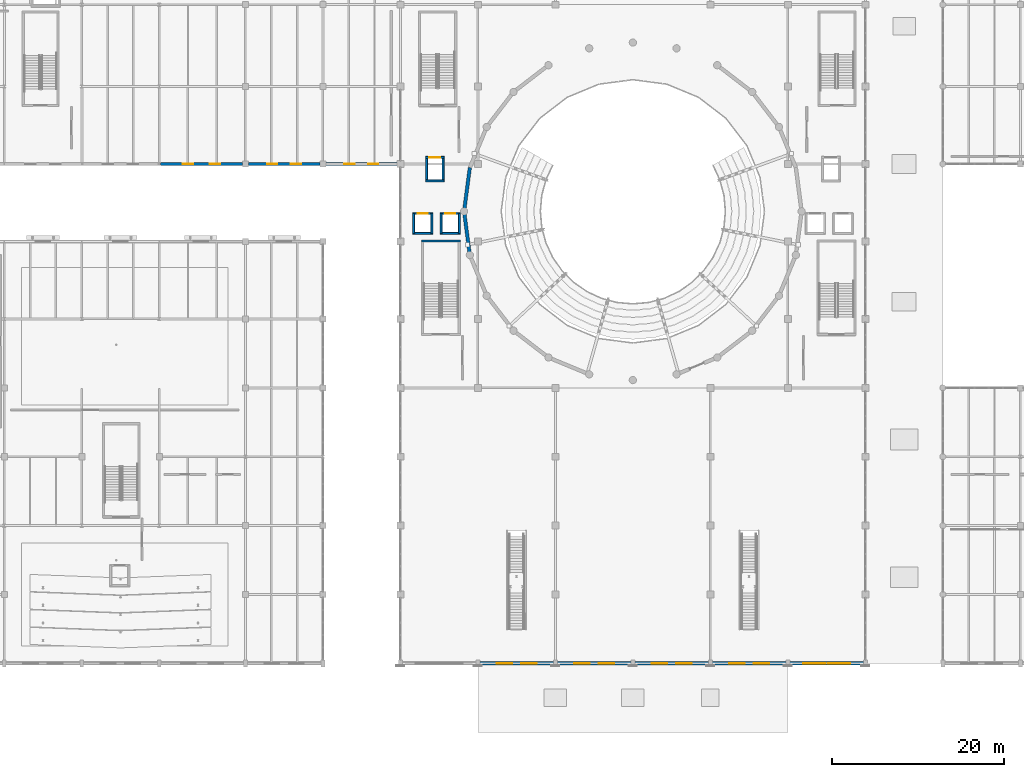
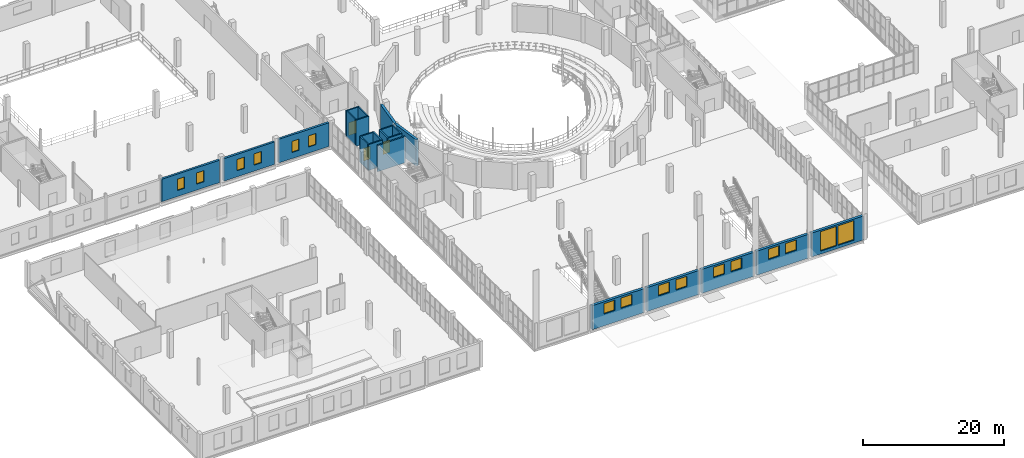
# One storey, part 70 of 93: 23 walls, 16 windows, 3 doors, 19 openings.
"""IFC4 building model written with IfcOpenShell, lengths in metres."""

from ifc_helpers import new_model, si_unit, direction, frame, frame_2d, origin, place, context, subcontext, project, spatial, rectangle, extrude, material, layer, layer_set, type_object, element, fill, save


model = new_model("IFC4")

# Units and contexts
model_context = context("Model", 3, precision=1e-05, world=origin(), true_north=direction((0.0, 1.0)))
body_context = subcontext(model_context, "Body", "Model", "MODEL_VIEW")
ifc_project = project(units=[si_unit("LENGTHUNIT", "METRE"), si_unit("AREAUNIT", "SQUARE_METRE"), si_unit("VOLUMEUNIT", "CUBIC_METRE"), si_unit("PLANEANGLEUNIT", "RADIAN"), si_unit("MASSUNIT", "GRAM", prefix="KILO")], contexts=[model_context])

# Site, building, storey
site_placement = place(None, origin())
site = spatial("IfcSite", under=ifc_project, at=site_placement, CompositionType="ELEMENT")
building_placement = place(site_placement, origin())
building = spatial("IfcBuilding", under=site, at=building_placement, Name="Marnock Terrace Opera House", CompositionType="ELEMENT")
storey_placement = place(building_placement, frame((0.0, 0.0, 5.39990234375)))
storey = spatial("IfcBuildingStorey", under=building, at=storey_placement, Name="L01", CompositionType="ELEMENT", Elevation=5.39990234375)

# Wall, openings, windows
ifc_material_1 = material(Name="Basket Range sandstone ashlar masonry", Category="masonry")
ifc_layer_1 = layer(ifc_material_1, 0.429931640625)
ifc_layer_set_1 = layer_set([ifc_layer_1], Name="Basket Range sandstone ashlar masonry")
wall_type_1 = type_object("IfcWallType", Name="EW-ASHLAR-430", PredefinedType="SOLIDWALL", material=ifc_layer_set_1)
wall_1_placement = place(storey_placement, frame((64.220947265625, 8.0, 0.0), z_axis=(0.0, 0.0, 1.0), x_axis=(1.0, 0.0, 0.0)))
wall_1 = element("IfcWall", 1, at=wall_1_placement, inside=storey, type_object=wall_type_1, Name="L01 Grand Hall south sandstone arcade bay 2", PredefinedType="SOLIDWALL", context=body_context, shape_type="SweptSolid", body=[
    extrude(rectangle(XDim=8.55810546875, YDim=0.429931640625, at=frame_2d((4.279052734375, 0.0))), origin(), (0.0, 0.0, 1.0), 4.151611328125),
])
opening_1_placement = place(wall_1_placement, frame((1.95263671875, 0.0, 2.050048828125)))
opening_1 = element("IfcOpeningElement", 2, at=opening_1_placement, cuts=wall_1, Name="Opening WT-16", PredefinedType="OPENING", context=body_context, shape_type="SweptSolid", body=[
    extrude(rectangle(XDim=1.800048828125, YDim=1.800048828125, at=frame_2d((0.89990234375, 0.89990234375))), frame((0.0, 0.224853515625, 0.0), z_axis=(0.0, -1.0, 0.0), x_axis=(1.0, 0.0, 0.0)), (0.0, 0.0, 1.0), 0.449951171875),
])
opening_2_placement = place(wall_1_placement, frame((4.805419921875, 0.0, 2.050048828125)))
opening_2 = element("IfcOpeningElement", 3, at=opening_2_placement, cuts=wall_1, Name="Opening WT-16", PredefinedType="OPENING", context=body_context, shape_type="SweptSolid", body=[
    extrude(rectangle(XDim=1.800048828125, YDim=1.800048828125, at=frame_2d((0.89990234375, 0.89990234375))), frame((0.0, 0.224853515625, 0.0), z_axis=(0.0, -1.0, 0.0), x_axis=(1.0, 0.0, 0.0)), (0.0, 0.0, 1.0), 0.449951171875),
])
ifc_material_2 = material(Name="Double-glazed acoustic low-E laminated glass", Category="glass")
window_type_1 = type_object("IfcWindowType", Name="WT-ATTIC-1800", PartitioningType="DOUBLE_PANEL_VERTICAL", PredefinedType="WINDOW", material=ifc_material_2)
window_1_placement = place(opening_1_placement, origin())
window_1 = element("IfcWindow", 4, at=window_1_placement, inside=storey, type_object=window_type_1, Name="L01 facade window EW-V1S-L01-2.1", OverallHeight=1.800048828125, OverallWidth=1.800048828125, PartitioningType="SINGLE_PANEL", PredefinedType="WINDOW", context=body_context, shape_type="SweptSolid", body=[
    extrude(rectangle(XDim=1.800048828125, YDim=1.800048828125, at=frame_2d((0.89990234375, 0.89990234375))), frame((0.0, 0.030029296875, 0.0), z_axis=(0.0, -1.0, 0.0), x_axis=(1.0, 0.0, 0.0)), (0.0, 0.0, 1.0), 0.06005859375),
])
fill(opening_1, window_1)
window_2_placement = place(opening_2_placement, origin())
window_2 = element("IfcWindow", 5, at=window_2_placement, inside=storey, type_object=window_type_1, Name="L01 facade window EW-V1S-L01-2.2", OverallHeight=1.800048828125, OverallWidth=1.800048828125, PartitioningType="SINGLE_PANEL", PredefinedType="WINDOW", context=body_context, shape_type="SweptSolid", body=[
    extrude(rectangle(XDim=1.800048828125, YDim=1.800048828125, at=frame_2d((0.89990234375, 0.89990234375))), frame((0.0, 0.030029296875, 0.0), z_axis=(0.0, -1.0, 0.0), x_axis=(1.0, 0.0, 0.0)), (0.0, 0.0, 1.0), 0.06005859375),
])
fill(opening_2, window_2)

wall_2_placement = place(storey_placement, frame((73.220947265625, 8.0, 0.0), z_axis=(0.0, 0.0, 1.0), x_axis=(1.0, 0.0, 0.0)))
wall_2 = element("IfcWall", 6, at=wall_2_placement, inside=storey, type_object=wall_type_1, Name="L01 Grand Hall south sandstone arcade bay 3", PredefinedType="SOLIDWALL", context=body_context, shape_type="SweptSolid", body=[
    extrude(rectangle(XDim=8.55810546875, YDim=0.429931640625, at=frame_2d((4.279052734375, 0.0))), origin(), (0.0, 0.0, 1.0), 4.151611328125),
])
opening_3_placement = place(wall_2_placement, frame((1.95263671875, 0.0, 2.050048828125)))
opening_3 = element("IfcOpeningElement", 7, at=opening_3_placement, cuts=wall_2, Name="Opening WT-16", PredefinedType="OPENING", context=body_context, shape_type="SweptSolid", body=[
    extrude(rectangle(XDim=1.800048828125, YDim=1.800048828125, at=frame_2d((0.89990234375, 0.89990234375))), frame((0.0, 0.224853515625, 0.0), z_axis=(0.0, -1.0, 0.0), x_axis=(1.0, 0.0, 0.0)), (0.0, 0.0, 1.0), 0.449951171875),
])
opening_4_placement = place(wall_2_placement, frame((4.805419921875, 0.0, 2.050048828125)))
opening_4 = element("IfcOpeningElement", 8, at=opening_4_placement, cuts=wall_2, Name="Opening WT-16", PredefinedType="OPENING", context=body_context, shape_type="SweptSolid", body=[
    extrude(rectangle(XDim=1.800048828125, YDim=1.800048828125, at=frame_2d((0.89990234375, 0.89990234375))), frame((0.0, 0.224853515625, 0.0), z_axis=(0.0, -1.0, 0.0), x_axis=(1.0, 0.0, 0.0)), (0.0, 0.0, 1.0), 0.449951171875),
])
window_3_placement = place(opening_3_placement, origin())
window_3 = element("IfcWindow", 9, at=window_3_placement, inside=storey, type_object=window_type_1, Name="L01 facade window EW-V1S-L01-3.1", OverallHeight=1.800048828125, OverallWidth=1.800048828125, PartitioningType="SINGLE_PANEL", PredefinedType="WINDOW", context=body_context, shape_type="SweptSolid", body=[
    extrude(rectangle(XDim=1.800048828125, YDim=1.800048828125, at=frame_2d((0.89990234375, 0.89990234375))), frame((0.0, 0.030029296875, 0.0), z_axis=(0.0, -1.0, 0.0), x_axis=(1.0, 0.0, 0.0)), (0.0, 0.0, 1.0), 0.06005859375),
])
fill(opening_3, window_3)
window_4_placement = place(opening_4_placement, origin())
window_4 = element("IfcWindow", 10, at=window_4_placement, inside=storey, type_object=window_type_1, Name="L01 facade window EW-V1S-L01-3.2", OverallHeight=1.800048828125, OverallWidth=1.800048828125, PartitioningType="SINGLE_PANEL", PredefinedType="WINDOW", context=body_context, shape_type="SweptSolid", body=[
    extrude(rectangle(XDim=1.800048828125, YDim=1.800048828125, at=frame_2d((0.89990234375, 0.89990234375))), frame((0.0, 0.030029296875, 0.0), z_axis=(0.0, -1.0, 0.0), x_axis=(1.0, 0.0, 0.0)), (0.0, 0.0, 1.0), 0.06005859375),
])
fill(opening_4, window_4)

wall_3_placement = place(storey_placement, frame((82.220947265625, 8.0, 0.0), z_axis=(0.0, 0.0, 1.0), x_axis=(1.0, 0.0, 0.0)))
wall_3 = element("IfcWall", 11, at=wall_3_placement, inside=storey, type_object=wall_type_1, Name="L01 Grand Hall south sandstone arcade bay 4", PredefinedType="SOLIDWALL", context=body_context, shape_type="SweptSolid", body=[
    extrude(rectangle(XDim=8.55810546875, YDim=0.429931640625, at=frame_2d((4.279052734375, 0.0))), origin(), (0.0, 0.0, 1.0), 4.151611328125),
])
opening_5_placement = place(wall_3_placement, frame((1.95263671875, 0.0, 2.050048828125)))
opening_5 = element("IfcOpeningElement", 12, at=opening_5_placement, cuts=wall_3, Name="Opening WT-16", PredefinedType="OPENING", context=body_context, shape_type="SweptSolid", body=[
    extrude(rectangle(XDim=1.800048828125, YDim=1.800048828125, at=frame_2d((0.89990234375, 0.89990234375))), frame((0.0, 0.224853515625, 0.0), z_axis=(0.0, -1.0, 0.0), x_axis=(1.0, 0.0, 0.0)), (0.0, 0.0, 1.0), 0.449951171875),
])
opening_6_placement = place(wall_3_placement, frame((4.805419921875, 0.0, 2.050048828125)))
opening_6 = element("IfcOpeningElement", 13, at=opening_6_placement, cuts=wall_3, Name="Opening WT-16", PredefinedType="OPENING", context=body_context, shape_type="SweptSolid", body=[
    extrude(rectangle(XDim=1.800048828125, YDim=1.800048828125, at=frame_2d((0.89990234375, 0.89990234375))), frame((0.0, 0.224853515625, 0.0), z_axis=(0.0, -1.0, 0.0), x_axis=(1.0, 0.0, 0.0)), (0.0, 0.0, 1.0), 0.449951171875),
])
window_5_placement = place(opening_5_placement, origin())
window_5 = element("IfcWindow", 14, at=window_5_placement, inside=storey, type_object=window_type_1, Name="L01 facade window EW-V1S-L01-4.1", OverallHeight=1.800048828125, OverallWidth=1.800048828125, PartitioningType="SINGLE_PANEL", PredefinedType="WINDOW", context=body_context, shape_type="SweptSolid", body=[
    extrude(rectangle(XDim=1.800048828125, YDim=1.800048828125, at=frame_2d((0.89990234375, 0.89990234375))), frame((0.0, 0.030029296875, 0.0), z_axis=(0.0, -1.0, 0.0), x_axis=(1.0, 0.0, 0.0)), (0.0, 0.0, 1.0), 0.06005859375),
])
fill(opening_5, window_5)
window_6_placement = place(opening_6_placement, origin())
window_6 = element("IfcWindow", 15, at=window_6_placement, inside=storey, type_object=window_type_1, Name="L01 facade window EW-V1S-L01-4.2", OverallHeight=1.800048828125, OverallWidth=1.800048828125, PartitioningType="SINGLE_PANEL", PredefinedType="WINDOW", context=body_context, shape_type="SweptSolid", body=[
    extrude(rectangle(XDim=1.800048828125, YDim=1.800048828125, at=frame_2d((0.89990234375, 0.89990234375))), frame((0.0, 0.030029296875, 0.0), z_axis=(0.0, -1.0, 0.0), x_axis=(1.0, 0.0, 0.0)), (0.0, 0.0, 1.0), 0.06005859375),
])
fill(opening_6, window_6)

wall_4_placement = place(storey_placement, frame((91.220947265625, 8.0, 0.0), z_axis=(0.0, 0.0, 1.0), x_axis=(1.0, 0.0, 0.0)))
wall_4 = element("IfcWall", 16, at=wall_4_placement, inside=storey, type_object=wall_type_1, Name="L01 Grand Hall south sandstone arcade bay 5", PredefinedType="SOLIDWALL", context=body_context, shape_type="SweptSolid", body=[
    extrude(rectangle(XDim=8.55810546875, YDim=0.429931640625, at=frame_2d((4.279052734375, 0.0))), origin(), (0.0, 0.0, 1.0), 4.151611328125),
])
opening_7_placement = place(wall_4_placement, frame((1.95263671875, 0.0, 2.050048828125)))
opening_7 = element("IfcOpeningElement", 17, at=opening_7_placement, cuts=wall_4, Name="Opening WT-16", PredefinedType="OPENING", context=body_context, shape_type="SweptSolid", body=[
    extrude(rectangle(XDim=1.800048828125, YDim=1.800048828125, at=frame_2d((0.89990234375, 0.89990234375))), frame((0.0, 0.224853515625, 0.0), z_axis=(0.0, -1.0, 0.0), x_axis=(1.0, 0.0, 0.0)), (0.0, 0.0, 1.0), 0.449951171875),
])
opening_8_placement = place(wall_4_placement, frame((4.805419921875, 0.0, 2.050048828125)))
opening_8 = element("IfcOpeningElement", 18, at=opening_8_placement, cuts=wall_4, Name="Opening WT-16", PredefinedType="OPENING", context=body_context, shape_type="SweptSolid", body=[
    extrude(rectangle(XDim=1.800048828125, YDim=1.800048828125, at=frame_2d((0.89990234375, 0.89990234375))), frame((0.0, 0.224853515625, 0.0), z_axis=(0.0, -1.0, 0.0), x_axis=(1.0, 0.0, 0.0)), (0.0, 0.0, 1.0), 0.449951171875),
])
window_7_placement = place(opening_7_placement, origin())
window_7 = element("IfcWindow", 19, at=window_7_placement, inside=storey, type_object=window_type_1, Name="L01 facade window EW-V1S-L01-5.1", OverallHeight=1.800048828125, OverallWidth=1.800048828125, PartitioningType="SINGLE_PANEL", PredefinedType="WINDOW", context=body_context, shape_type="SweptSolid", body=[
    extrude(rectangle(XDim=1.800048828125, YDim=1.800048828125, at=frame_2d((0.89990234375, 0.89990234375))), frame((0.0, 0.030029296875, 0.0), z_axis=(0.0, -1.0, 0.0), x_axis=(1.0, 0.0, 0.0)), (0.0, 0.0, 1.0), 0.06005859375),
])
fill(opening_7, window_7)
window_8_placement = place(opening_8_placement, origin())
window_8 = element("IfcWindow", 20, at=window_8_placement, inside=storey, type_object=window_type_1, Name="L01 facade window EW-V1S-L01-5.2", OverallHeight=1.800048828125, OverallWidth=1.800048828125, PartitioningType="SINGLE_PANEL", PredefinedType="WINDOW", context=body_context, shape_type="SweptSolid", body=[
    extrude(rectangle(XDim=1.800048828125, YDim=1.800048828125, at=frame_2d((0.89990234375, 0.89990234375))), frame((0.0, 0.030029296875, 0.0), z_axis=(0.0, -1.0, 0.0), x_axis=(1.0, 0.0, 0.0)), (0.0, 0.0, 1.0), 0.06005859375),
])
fill(opening_8, window_8)

wall_5_placement = place(storey_placement, frame((100.220947265625, 8.0, 0.0), z_axis=(0.0, 0.0, 1.0), x_axis=(1.0, 0.0, 0.0)))
wall_5 = element("IfcWall", 21, at=wall_5_placement, inside=storey, type_object=wall_type_1, Name="L01 Grand Hall south sandstone arcade bay 6", PredefinedType="SOLIDWALL", context=body_context, shape_type="SweptSolid", body=[
    extrude(rectangle(XDim=8.55810546875, YDim=0.429931640625, at=frame_2d((4.279052734375, 0.0))), origin(), (0.0, 0.0, 1.0), 4.151611328125),
])
opening_9_placement = place(wall_5_placement, frame((1.552734375, 0.0, 0.5009765625)))
opening_9 = element("IfcOpeningElement", 22, at=opening_9_placement, cuts=wall_5, Name="Opening WT-111", PredefinedType="OPENING", context=body_context, shape_type="SweptSolid", body=[
    extrude(rectangle(XDim=2.60009765625, YDim=3.39990234375, at=frame_2d((1.300048828125, 1.699951171875))), frame((0.0, 0.224853515625, 0.0), z_axis=(0.0, -1.0, 0.0), x_axis=(1.0, 0.0, 0.0)), (0.0, 0.0, 1.0), 0.449951171875),
])
opening_10_placement = place(wall_5_placement, frame((4.4052734375, 0.0, 0.5009765625)))
opening_10 = element("IfcOpeningElement", 23, at=opening_10_placement, cuts=wall_5, Name="Opening WT-111", PredefinedType="OPENING", context=body_context, shape_type="SweptSolid", body=[
    extrude(rectangle(XDim=2.60009765625, YDim=3.39990234375, at=frame_2d((1.300048828125, 1.699951171875))), frame((0.0, 0.224853515625, 0.0), z_axis=(0.0, -1.0, 0.0), x_axis=(1.0, 0.0, 0.0)), (0.0, 0.0, 1.0), 0.449951171875),
])
window_type_2 = type_object("IfcWindowType", Name="WT-COLOSSAL-2600", PartitioningType="DOUBLE_PANEL_VERTICAL", PredefinedType="WINDOW", material=ifc_material_2)
window_9_placement = place(opening_9_placement, origin())
window_9 = element("IfcWindow", 24, at=window_9_placement, inside=storey, type_object=window_type_2, Name="L01 facade window EW-V1S-L01-6.1", OverallHeight=3.39990234375, OverallWidth=2.60009765625, PartitioningType="SINGLE_PANEL", PredefinedType="WINDOW", context=body_context, shape_type="SweptSolid", body=[
    extrude(rectangle(XDim=2.60009765625, YDim=3.39990234375, at=frame_2d((1.300048828125, 1.699951171875))), frame((0.0, 0.030029296875, 0.0), z_axis=(0.0, -1.0, 0.0), x_axis=(1.0, 0.0, 0.0)), (0.0, 0.0, 1.0), 0.06005859375),
])
fill(opening_9, window_9)
window_10_placement = place(opening_10_placement, origin())
window_10 = element("IfcWindow", 25, at=window_10_placement, inside=storey, type_object=window_type_2, Name="L01 facade window EW-V1S-L01-6.2", OverallHeight=3.39990234375, OverallWidth=2.60009765625, PartitioningType="SINGLE_PANEL", PredefinedType="WINDOW", context=body_context, shape_type="SweptSolid", body=[
    extrude(rectangle(XDim=2.60009765625, YDim=3.39990234375, at=frame_2d((1.300048828125, 1.699951171875))), frame((0.0, 0.030029296875, 0.0), z_axis=(0.0, -1.0, 0.0), x_axis=(1.0, 0.0, 0.0)), (0.0, 0.0, 1.0), 0.06005859375),
])
fill(opening_10, window_10)

ifc_material_3 = material(Name="Carey Gully rusticated stone masonry", Category="masonry")
ifc_layer_2 = layer(ifc_material_3, 0.340087890625)
ifc_layer_set_2 = layer_set([ifc_layer_2], Name="Carey Gully rusticated stone masonry")
wall_type_2 = type_object("IfcWallType", Name="EW-WORK-340", PredefinedType="SOLIDWALL", material=ifc_layer_set_2)
wall_6_placement = place(storey_placement, frame((27.150390625, 66.0, 0.0), z_axis=(0.0, 0.0, 1.0), x_axis=(1.0, 0.0, 0.0)))
wall_6 = element("IfcWall", 26, at=wall_6_placement, inside=storey, type_object=wall_type_2, Name="L01 Workshops south courtyard wall 4", PredefinedType="SOLIDWALL", context=body_context, shape_type="SweptSolid", body=[
    extrude(rectangle(XDim=9.503662109375, YDim=0.340087890625, at=frame_2d((4.751953125, 0.0))), origin(), (0.0, 0.0, 1.0), 3.8984375),
])
opening_11_placement = place(wall_6_placement, frame((2.56787109375, 0.0, 1.050048828125)))
opening_11 = element("IfcOpeningElement", 27, at=opening_11_placement, cuts=wall_6, Name="Opening WT-35", PredefinedType="OPENING", context=body_context, shape_type="SweptSolid", body=[
    extrude(rectangle(XDim=1.199951171875, YDim=1.949951171875, at=frame_2d((0.60009765625, 0.97509765625))), frame((0.0, 0.179931640625, 0.0), z_axis=(0.0, -1.0, 0.0), x_axis=(1.0, 0.0, 0.0)), (0.0, 0.0, 1.0), 0.360107421875),
])
opening_12_placement = place(wall_6_placement, frame((5.735595703125, 0.0, 1.050048828125)))
opening_12 = element("IfcOpeningElement", 28, at=opening_12_placement, cuts=wall_6, Name="Opening WT-35", PredefinedType="OPENING", context=body_context, shape_type="SweptSolid", body=[
    extrude(rectangle(XDim=1.199951171875, YDim=1.949951171875, at=frame_2d((0.60009765625, 0.97509765625))), frame((0.0, 0.179931640625, 0.0), z_axis=(0.0, -1.0, 0.0), x_axis=(1.0, 0.0, 0.0)), (0.0, 0.0, 1.0), 0.360107421875),
])
window_type_3 = type_object("IfcWindowType", Name="WT-DRESS-1200", PartitioningType="SINGLE_PANEL", PredefinedType="WINDOW", material=ifc_material_2)
window_11_placement = place(opening_11_placement, origin())
window_11 = element("IfcWindow", 29, at=window_11_placement, inside=storey, type_object=window_type_3, Name="L01 facade window EW-V4S-L01-4.1", OverallHeight=1.949951171875, OverallWidth=1.199951171875, PartitioningType="SINGLE_PANEL", PredefinedType="WINDOW", context=body_context, shape_type="SweptSolid", body=[
    extrude(rectangle(XDim=1.199951171875, YDim=1.949951171875, at=frame_2d((0.60009765625, 0.97509765625))), frame((0.0, 0.030029296875, 0.0), z_axis=(0.0, -1.0, 0.0), x_axis=(1.0, 0.0, 0.0)), (0.0, 0.0, 1.0), 0.06005859375),
])
fill(opening_11, window_11)
window_12_placement = place(opening_12_placement, origin())
window_12 = element("IfcWindow", 30, at=window_12_placement, inside=storey, type_object=window_type_3, Name="L01 facade window EW-V4S-L01-4.2", OverallHeight=1.949951171875, OverallWidth=1.199951171875, PartitioningType="SINGLE_PANEL", PredefinedType="WINDOW", context=body_context, shape_type="SweptSolid", body=[
    extrude(rectangle(XDim=1.199951171875, YDim=1.949951171875, at=frame_2d((0.60009765625, 0.97509765625))), frame((0.0, 0.030029296875, 0.0), z_axis=(0.0, -1.0, 0.0), x_axis=(1.0, 0.0, 0.0)), (0.0, 0.0, 1.0), 0.06005859375),
])
fill(opening_12, window_12)

wall_7_placement = place(storey_placement, frame((37.345947265625, 66.0, 0.0), z_axis=(0.0, 0.0, 1.0), x_axis=(1.0, 0.0, 0.0)))
wall_7 = element("IfcWall", 31, at=wall_7_placement, inside=storey, type_object=wall_type_2, Name="L01 Workshops south courtyard wall 5", PredefinedType="SOLIDWALL", context=body_context, shape_type="SweptSolid", body=[
    extrude(rectangle(XDim=8.30810546875, YDim=0.340087890625, at=frame_2d((4.154052734375, 0.0))), origin(), (0.0, 0.0, 1.0), 3.8984375),
])
opening_13_placement = place(wall_7_placement, frame((2.169189453125, 0.0, 1.050048828125)))
opening_13 = element("IfcOpeningElement", 32, at=opening_13_placement, cuts=wall_7, Name="Opening WT-35", PredefinedType="OPENING", context=body_context, shape_type="SweptSolid", body=[
    extrude(rectangle(XDim=1.199951171875, YDim=1.949951171875, at=frame_2d((0.60009765625, 0.97509765625))), frame((0.0, 0.179931640625, 0.0), z_axis=(0.0, -1.0, 0.0), x_axis=(1.0, 0.0, 0.0)), (0.0, 0.0, 1.0), 0.360107421875),
])
opening_14_placement = place(wall_7_placement, frame((4.938720703125, 0.0, 1.050048828125)))
opening_14 = element("IfcOpeningElement", 33, at=opening_14_placement, cuts=wall_7, Name="Opening WT-35", PredefinedType="OPENING", context=body_context, shape_type="SweptSolid", body=[
    extrude(rectangle(XDim=1.199951171875, YDim=1.949951171875, at=frame_2d((0.60009765625, 0.97509765625))), frame((0.0, 0.179931640625, 0.0), z_axis=(0.0, -1.0, 0.0), x_axis=(1.0, 0.0, 0.0)), (0.0, 0.0, 1.0), 0.360107421875),
])
window_13_placement = place(opening_13_placement, origin())
window_13 = element("IfcWindow", 34, at=window_13_placement, inside=storey, type_object=window_type_3, Name="L01 facade window EW-V4S-L01-5.1", OverallHeight=1.949951171875, OverallWidth=1.199951171875, PartitioningType="SINGLE_PANEL", PredefinedType="WINDOW", context=body_context, shape_type="SweptSolid", body=[
    extrude(rectangle(XDim=1.199951171875, YDim=1.949951171875, at=frame_2d((0.60009765625, 0.97509765625))), frame((0.0, 0.030029296875, 0.0), z_axis=(0.0, -1.0, 0.0), x_axis=(1.0, 0.0, 0.0)), (0.0, 0.0, 1.0), 0.06005859375),
])
fill(opening_13, window_13)
window_14_placement = place(opening_14_placement, origin())
window_14 = element("IfcWindow", 35, at=window_14_placement, inside=storey, type_object=window_type_3, Name="L01 facade window EW-V4S-L01-5.2", OverallHeight=1.949951171875, OverallWidth=1.199951171875, PartitioningType="SINGLE_PANEL", PredefinedType="WINDOW", context=body_context, shape_type="SweptSolid", body=[
    extrude(rectangle(XDim=1.199951171875, YDim=1.949951171875, at=frame_2d((0.60009765625, 0.97509765625))), frame((0.0, 0.030029296875, 0.0), z_axis=(0.0, -1.0, 0.0), x_axis=(1.0, 0.0, 0.0)), (0.0, 0.0, 1.0), 0.06005859375),
])
fill(opening_14, window_14)

wall_8_placement = place(storey_placement, frame((46.345947265625, 66.0, 0.0), z_axis=(0.0, 0.0, 1.0), x_axis=(1.0, 0.0, 0.0)))
wall_8 = element("IfcWall", 36, at=wall_8_placement, inside=storey, type_object=wall_type_2, Name="L01 Workshops south courtyard wall 6", PredefinedType="SOLIDWALL", context=body_context, shape_type="SweptSolid", body=[
    extrude(rectangle(XDim=8.258056640625, YDim=0.340087890625, at=frame_2d((4.12890625, 0.0))), origin(), (0.0, 0.0, 1.0), 4.107421875),
])
opening_15_placement = place(wall_8_placement, frame((2.152587890625, 0.0, 1.050048828125)))
opening_15 = element("IfcOpeningElement", 37, at=opening_15_placement, cuts=wall_8, Name="Opening WT-35", PredefinedType="OPENING", context=body_context, shape_type="SweptSolid", body=[
    extrude(rectangle(XDim=1.199951171875, YDim=1.949951171875, at=frame_2d((0.60009765625, 0.97509765625))), frame((0.0, 0.179931640625, 0.0), z_axis=(0.0, -1.0, 0.0), x_axis=(1.0, 0.0, 0.0)), (0.0, 0.0, 1.0), 0.360107421875),
])
opening_16_placement = place(wall_8_placement, frame((4.9052734375, 0.0, 1.050048828125)))
opening_16 = element("IfcOpeningElement", 38, at=opening_16_placement, cuts=wall_8, Name="Opening WT-35", PredefinedType="OPENING", context=body_context, shape_type="SweptSolid", body=[
    extrude(rectangle(XDim=1.199951171875, YDim=1.949951171875, at=frame_2d((0.60009765625, 0.97509765625))), frame((0.0, 0.179931640625, 0.0), z_axis=(0.0, -1.0, 0.0), x_axis=(1.0, 0.0, 0.0)), (0.0, 0.0, 1.0), 0.360107421875),
])
window_15_placement = place(opening_15_placement, origin())
window_15 = element("IfcWindow", 39, at=window_15_placement, inside=storey, type_object=window_type_3, Name="L01 facade window EW-V4S-L01-6.1", OverallHeight=1.949951171875, OverallWidth=1.199951171875, PartitioningType="SINGLE_PANEL", PredefinedType="WINDOW", context=body_context, shape_type="SweptSolid", body=[
    extrude(rectangle(XDim=1.199951171875, YDim=1.949951171875, at=frame_2d((0.60009765625, 0.97509765625))), frame((0.0, 0.030029296875, 0.0), z_axis=(0.0, -1.0, 0.0), x_axis=(1.0, 0.0, 0.0)), (0.0, 0.0, 1.0), 0.06005859375),
])
fill(opening_15, window_15)
window_16_placement = place(opening_16_placement, origin())
window_16 = element("IfcWindow", 40, at=window_16_placement, inside=storey, type_object=window_type_3, Name="L01 facade window EW-V4S-L01-6.2", OverallHeight=1.949951171875, OverallWidth=1.199951171875, PartitioningType="SINGLE_PANEL", PredefinedType="WINDOW", context=body_context, shape_type="SweptSolid", body=[
    extrude(rectangle(XDim=1.199951171875, YDim=1.949951171875, at=frame_2d((0.60009765625, 0.97509765625))), frame((0.0, 0.030029296875, 0.0), z_axis=(0.0, -1.0, 0.0), x_axis=(1.0, 0.0, 0.0)), (0.0, 0.0, 1.0), 0.06005859375),
])
fill(opening_16, window_16)

# Wall, opening, door
ifc_material_4 = material(Name="Rendered acoustic concrete blockwork", Category="masonry")
ifc_layer_3 = layer(ifc_material_4, 0.22509765625)
ifc_layer_set_3 = layer_set([ifc_layer_3], Name="Rendered acoustic concrete blockwork")
wall_type_3 = type_object("IfcWallType", Name="IW-SHAFT-225", PredefinedType="SOLIDWALL", material=ifc_layer_set_3)
wall_9_placement = place(storey_placement, frame((56.427490234375, 60.260009765625, 0.0), z_axis=(0.0, 0.0, 1.0), x_axis=(1.0, 0.0, 0.0)))
wall_9 = element("IfcWall", 41, at=wall_9_placement, inside=storey, type_object=wall_type_3, Name="L01 Lift PL-01 front shaft wall", PredefinedType="SOLIDWALL", context=body_context, shape_type="SweptSolid", body=[
    extrude(rectangle(XDim=2.344970703125, YDim=0.22509765625, at=frame_2d((1.17236328125, 0.0))), origin(), (0.0, 0.0, 1.0), 4.489990234375),
])
opening_17_placement = place(wall_9_placement, frame((0.597412109375, 0.0, 0.0)))
opening_17 = element("IfcOpeningElement", 42, at=opening_17_placement, cuts=wall_9, Name="Opening LD-PL-01-L01", PredefinedType="OPENING", context=body_context, shape_type="SweptSolid", body=[
    extrude(rectangle(XDim=1.14990234375, YDim=2.199951171875, at=frame_2d((0.574951171875, 1.10009765625))), frame((0.0, 0.12255859375, 0.0), z_axis=(0.0, -1.0, 0.0), x_axis=(1.0, 0.0, 0.0)), (0.0, 0.0, 1.0), 0.2451171875),
])
ifc_material_5 = material(Name="Brushed stainless steel landing door assembly", Category="steel")
door_type_1 = type_object("IfcDoorType", Name="DT-LIFT-1150", OperationType="NOTDEFINED", PredefinedType="DOOR", material=ifc_material_5)
door_1_placement = place(opening_17_placement, origin())
door_1 = element("IfcDoor", 43, at=door_1_placement, inside=storey, type_object=door_type_1, Name="L01 Lift PL-01 sliding landing door", OperationType="DOUBLE_DOOR_SLIDING", OverallHeight=2.199951171875, OverallWidth=1.14990234375, PredefinedType="DOOR", context=body_context, shape_type="SweptSolid", body=[
    extrude(rectangle(XDim=1.14990234375, YDim=2.199951171875, at=frame_2d((0.574951171875, 1.10009765625))), frame((0.0, 0.02490234375, 0.0), z_axis=(0.0, -1.0, 0.0), x_axis=(1.0, 0.0, 0.0)), (0.0, 0.0, 1.0), 0.050048828125),
])
fill(opening_17, door_1)

# Walls
wall_10_placement = place(storey_placement, frame((56.427490234375, 57.93994140625, 0.0), z_axis=(0.0, 0.0, 1.0), x_axis=(1.0, 0.0, 0.0)))
element("IfcWall", 44, at=wall_10_placement, inside=storey, type_object=wall_type_3, Name="L01 Lift PL-01 rear shaft wall", PredefinedType="SOLIDWALL", context=body_context, shape_type="SweptSolid", body=[
    extrude(rectangle(XDim=2.344970703125, YDim=0.22509765625, at=frame_2d((1.17236328125, 0.0))), origin(), (0.0, 0.0, 1.0), 4.489990234375),
])
for number, where, z_axis, x_axis, name in (
    (45, (56.5400390625, 57.93994140625, 0.0), (0.0, 0.0, 1.0), (0.0, 1.0, 0.0), "L01 Lift PL-01 west shaft wall"),
    (46, (58.659912109375, 57.93994140625, 0.0), (0.0, 0.0, 1.0), (0.0, 1.0, 0.0), "L01 Lift PL-01 east shaft wall"),
):
    element("IfcWall", number, at=place(storey_placement, frame(where, z_axis=z_axis, x_axis=x_axis)), inside=storey, type_object=wall_type_3, Name=name, PredefinedType="SOLIDWALL", context=body_context, shape_type="SweptSolid", body=[
        extrude(rectangle(XDim=2.320068359375, YDim=0.22509765625, at=frame_2d((1.16015625, 0.0))), origin(), (0.0, 0.0, 1.0), 4.489990234375),
    ])

# Wall, opening, door
wall_11_placement = place(storey_placement, frame((59.62744140625, 60.260009765625, 0.0), z_axis=(0.0, 0.0, 1.0), x_axis=(1.0, 0.0, 0.0)))
wall_11 = element("IfcWall", 47, at=wall_11_placement, inside=storey, type_object=wall_type_3, Name="L01 Lift PL-02 front shaft wall", PredefinedType="SOLIDWALL", context=body_context, shape_type="SweptSolid", body=[
    extrude(rectangle(XDim=2.344970703125, YDim=0.22509765625, at=frame_2d((1.17236328125, 0.0))), origin(), (0.0, 0.0, 1.0), 4.489990234375),
])
opening_18_placement = place(wall_11_placement, frame((0.597412109375, 0.0, 0.0)))
opening_18 = element("IfcOpeningElement", 48, at=opening_18_placement, cuts=wall_11, Name="Opening LD-PL-02-L01", PredefinedType="OPENING", context=body_context, shape_type="SweptSolid", body=[
    extrude(rectangle(XDim=1.14990234375, YDim=2.199951171875, at=frame_2d((0.574951171875, 1.10009765625))), frame((0.0, 0.12255859375, 0.0), z_axis=(0.0, -1.0, 0.0), x_axis=(1.0, 0.0, 0.0)), (0.0, 0.0, 1.0), 0.2451171875),
])
door_2_placement = place(opening_18_placement, origin())
door_2 = element("IfcDoor", 49, at=door_2_placement, inside=storey, type_object=door_type_1, Name="L01 Lift PL-02 sliding landing door", OperationType="DOUBLE_DOOR_SLIDING", OverallHeight=2.199951171875, OverallWidth=1.14990234375, PredefinedType="DOOR", context=body_context, shape_type="SweptSolid", body=[
    extrude(rectangle(XDim=1.14990234375, YDim=2.199951171875, at=frame_2d((0.574951171875, 1.10009765625))), frame((0.0, 0.02490234375, 0.0), z_axis=(0.0, -1.0, 0.0), x_axis=(1.0, 0.0, 0.0)), (0.0, 0.0, 1.0), 0.050048828125),
])
fill(opening_18, door_2)

# Walls
wall_12_placement = place(storey_placement, frame((59.62744140625, 57.93994140625, 0.0), z_axis=(0.0, 0.0, 1.0), x_axis=(1.0, 0.0, 0.0)))
element("IfcWall", 50, at=wall_12_placement, inside=storey, type_object=wall_type_3, Name="L01 Lift PL-02 rear shaft wall", PredefinedType="SOLIDWALL", context=body_context, shape_type="SweptSolid", body=[
    extrude(rectangle(XDim=2.344970703125, YDim=0.22509765625, at=frame_2d((1.17236328125, 0.0))), origin(), (0.0, 0.0, 1.0), 4.489990234375),
])
for number, where, z_axis, x_axis, name in (
    (51, (59.739990234375, 57.93994140625, 0.0), (0.0, 0.0, 1.0), (0.0, 1.0, 0.0), "L01 Lift PL-02 west shaft wall"),
    (52, (61.860107421875, 57.93994140625, 0.0), (0.0, 0.0, 1.0), (0.0, 1.0, 0.0), "L01 Lift PL-02 east shaft wall"),
):
    element("IfcWall", number, at=place(storey_placement, frame(where, z_axis=z_axis, x_axis=x_axis)), inside=storey, type_object=wall_type_3, Name=name, PredefinedType="SOLIDWALL", context=body_context, shape_type="SweptSolid", body=[
        extrude(rectangle(XDim=2.320068359375, YDim=0.22509765625, at=frame_2d((1.16015625, 0.0))), origin(), (0.0, 0.0, 1.0), 4.489990234375),
    ])

# Wall, opening, door
wall_13_placement = place(storey_placement, frame((57.927490234375, 66.760009765625, 0.0), z_axis=(0.0, 0.0, 1.0), x_axis=(1.0, 0.0, 0.0)))
wall_13 = element("IfcWall", 53, at=wall_13_placement, inside=storey, type_object=wall_type_3, Name="L01 Lift EL-01 front shaft wall", PredefinedType="SOLIDWALL", context=body_context, shape_type="SweptSolid", body=[
    extrude(rectangle(XDim=2.14501953125, YDim=0.22509765625, at=frame_2d((1.072509765625, 0.0))), origin(), (0.0, 0.0, 1.0), 4.489990234375),
])
opening_19_placement = place(wall_13_placement, frame((0.422607421875, 0.0, 0.0)))
opening_19 = element("IfcOpeningElement", 54, at=opening_19_placement, cuts=wall_13, Name="Opening LD-EL-01-L01", PredefinedType="OPENING", context=body_context, shape_type="SweptSolid", body=[
    extrude(rectangle(XDim=1.300048828125, YDim=2.25, at=frame_2d((0.64990234375, 1.125))), frame((0.0, 0.12255859375, 0.0), z_axis=(0.0, -1.0, 0.0), x_axis=(1.0, 0.0, 0.0)), (0.0, 0.0, 1.0), 0.2451171875),
])
door_type_2 = type_object("IfcDoorType", Name="DT-LIFT-1300", OperationType="NOTDEFINED", PredefinedType="DOOR", material=ifc_material_5)
door_3_placement = place(opening_19_placement, origin())
door_3 = element("IfcDoor", 55, at=door_3_placement, inside=storey, type_object=door_type_2, Name="L01 Lift EL-01 sliding landing door", OperationType="DOUBLE_DOOR_SLIDING", OverallHeight=2.25, OverallWidth=1.300048828125, PredefinedType="DOOR", context=body_context, shape_type="SweptSolid", body=[
    extrude(rectangle(XDim=1.300048828125, YDim=2.25, at=frame_2d((0.64990234375, 1.125))), frame((0.0, 0.02490234375, 0.0), z_axis=(0.0, -1.0, 0.0), x_axis=(1.0, 0.0, 0.0)), (0.0, 0.0, 1.0), 0.050048828125),
])
fill(opening_19, door_3)

# Walls
wall_14_placement = place(storey_placement, frame((57.927490234375, 64.0400390625, 0.0), z_axis=(0.0, 0.0, 1.0), x_axis=(1.0, 0.0, 0.0)))
element("IfcWall", 56, at=wall_14_placement, inside=storey, type_object=wall_type_3, Name="L01 Lift EL-01 rear shaft wall", PredefinedType="SOLIDWALL", context=body_context, shape_type="SweptSolid", body=[
    extrude(rectangle(XDim=2.14501953125, YDim=0.22509765625, at=frame_2d((1.072509765625, 0.0))), origin(), (0.0, 0.0, 1.0), 4.489990234375),
])
for number, where, z_axis, x_axis, name in (
    (57, (58.0400390625, 64.0400390625, 0.0), (0.0, 0.0, 1.0), (0.0, 1.0, 0.0), "L01 Lift EL-01 west shaft wall"),
    (58, (59.9599609375, 64.0400390625, 0.0), (0.0, 0.0, 1.0), (0.0, 1.0, 0.0), "L01 Lift EL-01 east shaft wall"),
):
    element("IfcWall", number, at=place(storey_placement, frame(where, z_axis=z_axis, x_axis=x_axis)), inside=storey, type_object=wall_type_3, Name=name, PredefinedType="SOLIDWALL", context=body_context, shape_type="SweptSolid", body=[
        extrude(rectangle(XDim=2.719970703125, YDim=0.22509765625, at=frame_2d((1.35986328125, 0.0))), origin(), (0.0, 0.0, 1.0), 4.489990234375),
    ])
ifc_material_6 = material(Name="Concrete N40 (f'c = 40 MPa)", Category="concrete")
ifc_layer_4 = layer(ifc_material_6, 0.25)
ifc_layer_set_4 = layer_set([ifc_layer_4], Name="Concrete N40 (f'c = 40 MPa)")
wall_type_4 = type_object("IfcWallType", Name="SW-CORE-250", PredefinedType="SHEAR", material=ifc_layer_set_4)
wall_15_placement = place(storey_placement, frame((57.43505859375, 57.0400390625, 0.0), z_axis=(0.0, 0.0, 1.0), x_axis=(1.0, 0.0, 0.0)))
element("IfcWall", 59, at=wall_15_placement, inside=storey, type_object=wall_type_4, Name="L01 Core C1 FRL 120/120/120 shear wall N", PredefinedType="SHEAR", context=body_context, shape_type="SweptSolid", body=[
    extrude(rectangle(XDim=4.530029296875, YDim=0.25, at=frame_2d((2.26513671875, 0.0))), origin(), (0.0, 0.0, 1.0), 4.5400390625),
])
ifc_material_7 = material(Name="Concrete N50 (f'c = 50 MPa)", Category="concrete")
ifc_layer_5 = layer(ifc_material_7, 0.39990234375)
ifc_layer_set_5 = layer_set([ifc_layer_5], Name="Concrete N50 (f'c = 50 MPa)")
wall_type_5 = type_object("IfcWallType", Name="SW-DRUM-400", PredefinedType="SHEAR", material=ifc_layer_set_5)
for number, where, z_axis, x_axis, name in (
    (60, (63.068115234375, 65.572998046875, 0.0), (0.0, 0.0, 1.0), (-0.130591512704, -0.99143625958, 0.0), "L01 cylindrical auditorium drum shear wall 12"),
    (61, (62.39990234375, 60.5, 0.0), (0.0, 0.0, 1.0), (0.130591512704, -0.99143625958, 0.0), "L01 cylindrical auditorium drum shear wall 13"),
):
    element("IfcWall", number, at=place(storey_placement, frame(where, z_axis=z_axis, x_axis=x_axis)), inside=storey, type_object=wall_type_5, Name=name, PredefinedType="SHEAR", context=body_context, shape_type="SweptSolid", body=[
        extrude(rectangle(XDim=5.11669921875, YDim=0.39990234375, at=frame_2d((2.558349609375, 0.0))), origin(), (0.0, 0.0, 1.0), 4.5400390625),
    ])

save(model, "model.ifc")
